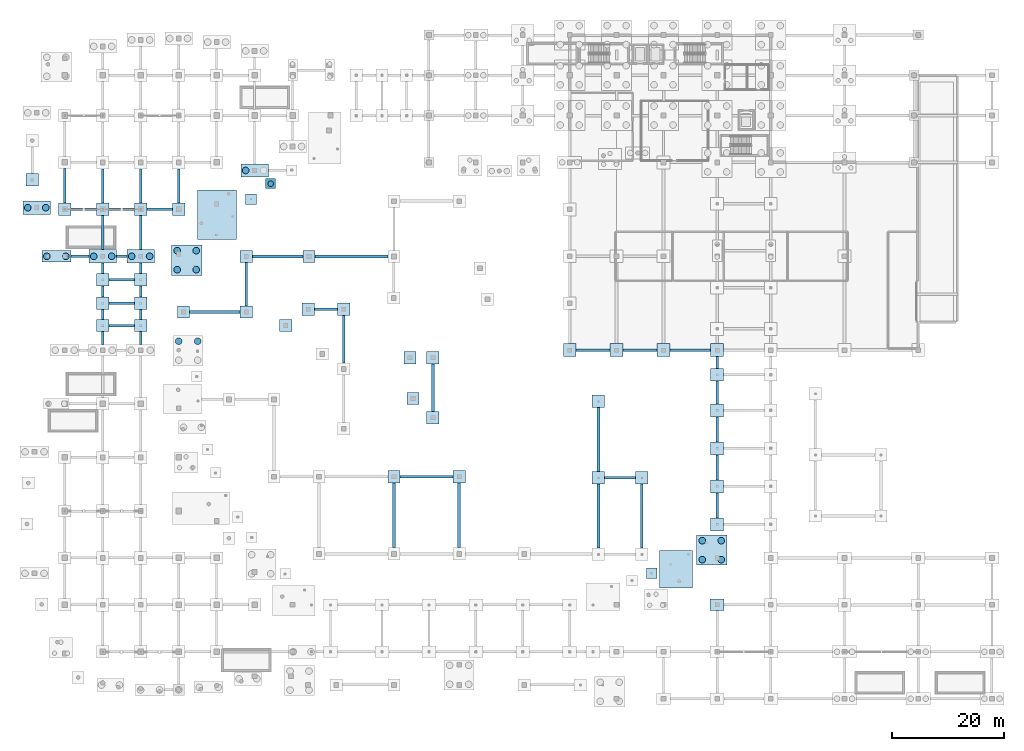
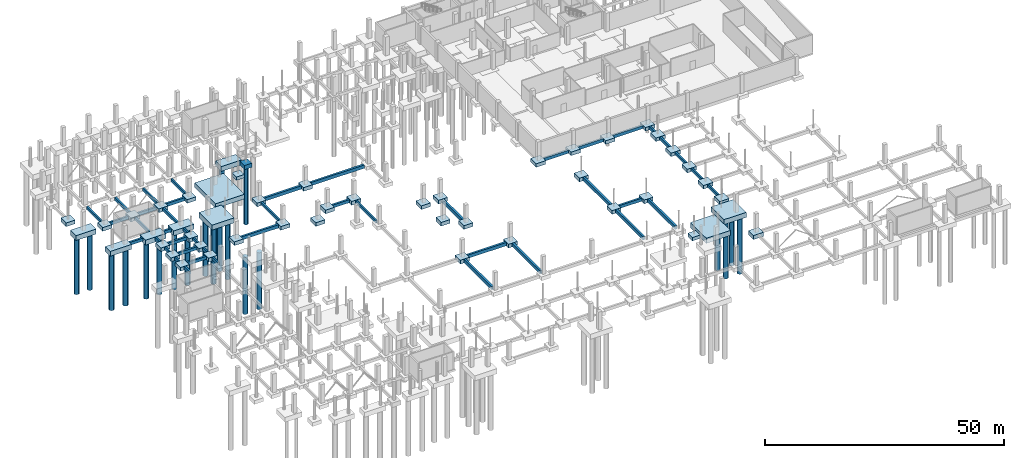
# One storey, part 3 of 44: 93 footings, 20 piles.
"""IFC4 building model written with IfcOpenShell, lengths in metres."""

from ifc_helpers import new_model, si_unit, direction, frame, origin, origin_2d, place, context, subcontext, project, spatial, rectangle, circle, extrude, material, material_profile, profile_set, type_object, element, save


model = new_model("IFC4")

# Units and contexts
model_context = context("Model", 3, precision=1e-05, world=origin(), true_north=direction((0.0, 1.0)))
body_context = subcontext(model_context, "Body", "Model", "MODEL_VIEW")
ifc_project = project(units=[si_unit("LENGTHUNIT", "METRE"), si_unit("AREAUNIT", "SQUARE_METRE"), si_unit("VOLUMEUNIT", "CUBIC_METRE"), si_unit("PLANEANGLEUNIT", "RADIAN"), si_unit("MASSUNIT", "GRAM", prefix="KILO")], contexts=[model_context])

# Site, building, storey
site_placement = place(None, origin())
site = spatial("IfcSite", under=ifc_project, at=site_placement, CompositionType="ELEMENT")
building_placement = place(site_placement, origin())
building = spatial("IfcBuilding", under=site, at=building_placement, Name="Kisaragi Civic Commons", CompositionType="ELEMENT")
storey_placement = place(building_placement, frame((0.0, 0.0, -4.800048828125)))
storey = spatial("IfcBuildingStorey", under=building, at=storey_placement, Name="B1", CompositionType="ELEMENT", Elevation=-4.800048828125)

# Footings
ifc_material_1 = material(Name="Concrete Fc27", Category="concrete")
ifc_material_profile_1 = material_profile(ifc_material_1, rectangle(XDim=0.5, YDim=0.85009765625, at=origin_2d()), Name="RC-500x850", Category="concrete")
ifc_profile_set_1 = profile_set([ifc_material_profile_1], Name="Concrete Fc27")
footing_type_1 = type_object("IfcFootingType", Name="FB-01", PredefinedType="FOOTING_BEAM", material=ifc_profile_set_1)
footing_1_placement = place(storey_placement, frame((66.83642578125, 39.75, -0.425048828125), z_axis=(1.0, 0.0, 0.0), x_axis=(0.0, 1.0, 0.0)))
element("IfcFooting", 1, at=footing_1_placement, inside=storey, type_object=footing_type_1, Name="Foundation tie beam FB-01 X61", PredefinedType="FOOTING_BEAM", context=body_context, shape_type="SweptSolid", body=[
    extrude(rectangle(XDim=0.5, YDim=0.85009765625, at=origin_2d()), origin(), (0.0, 0.0, 1.0), 9.4736328125),
])
for number, where, z_axis, x_axis, name in (
    (2, (29.16796875, 69.246337890625, -0.425048828125), (1.0, 0.0, 0.0), (0.0, 1.0, 0.0), "Foundation tie beam FB-01 X82"),
    (3, (40.39990234375, 79.159912109375, -0.425048828125), (1.0, 0.0, 0.0), (0.0, 1.0, 0.0), "Foundation tie beam FB-01 X89"),
):
    element("IfcFooting", number, at=place(storey_placement, frame(where, z_axis=z_axis, x_axis=x_axis)), inside=storey, type_object=footing_type_1, Name=name, PredefinedType="FOOTING_BEAM", context=body_context, shape_type="SweptSolid", body=[
        extrude(rectangle(XDim=0.5, YDim=0.85009765625, at=origin_2d()), origin(), (0.0, 0.0, 1.0), 9.031982421875),
    ])
footing_2_placement = place(storey_placement, frame((51.632080078125, 79.159912109375, -0.425048828125), z_axis=(1.0, 0.0, 0.0), x_axis=(0.0, 1.0, 0.0)))
element("IfcFooting", 4, at=footing_2_placement, inside=storey, type_object=footing_type_1, Name="Foundation tie beam FB-01 X90", PredefinedType="FOOTING_BEAM", context=body_context, shape_type="SweptSolid", body=[
    extrude(rectangle(XDim=0.5, YDim=0.85009765625, at=origin_2d()), origin(), (0.0, 0.0, 1.0), 13.00439453125),
])
footing_3_placement = place(storey_placement, frame((65.736328125, 27.02587890625, -0.425048828125), z_axis=(0.0, 1.0, 0.0), x_axis=(-1.0, 0.0, 0.0)))
element("IfcFooting", 5, at=footing_3_placement, inside=storey, type_object=footing_type_1, Name="Foundation tie beam FB-01 Y217", PredefinedType="FOOTING_BEAM", context=body_context, shape_type="SweptSolid", body=[
    extrude(rectangle(XDim=0.5, YDim=0.85009765625, at=origin_2d()), origin(), (0.0, 0.0, 1.0), 11.6240234375),
])
footing_4_placement = place(storey_placement, frame((72.713623046875, 51.412353515625, -0.425048828125), z_axis=(0.0, 1.0, 0.0), x_axis=(-1.0, 0.0, 0.0)))
element("IfcFooting", 6, at=footing_4_placement, inside=storey, type_object=footing_type_1, Name="Foundation tie beam FB-01 Y225", PredefinedType="FOOTING_BEAM", context=body_context, shape_type="SweptSolid", body=[
    extrude(rectangle(XDim=0.5, YDim=0.85009765625, at=origin_2d()), origin(), (0.0, 0.0, 1.0), 8.517578125),
])
footing_5_placement = place(storey_placement, frame((77.409912109375, 27.02587890625, -0.425048828125), z_axis=(0.0, 1.0, 0.0), x_axis=(-1.0, 0.0, 0.0)))
element("IfcFooting", 7, at=footing_5_placement, inside=storey, type_object=footing_type_1, Name="Foundation tie beam FB-01 Y226", PredefinedType="FOOTING_BEAM", context=body_context, shape_type="SweptSolid", body=[
    extrude(rectangle(XDim=0.5, YDim=0.85009765625, at=origin_2d()), origin(), (0.0, 0.0, 1.0), 11.6240234375),
])
footing_6_placement = place(storey_placement, frame((102.34033203125, 26.9541015625, -0.425048828125), z_axis=(0.0, 1.0, 0.0), x_axis=(-1.0, 0.0, 0.0)))
element("IfcFooting", 8, at=footing_6_placement, inside=storey, type_object=footing_type_1, Name="Foundation tie beam FB-01 Y241", PredefinedType="FOOTING_BEAM", context=body_context, shape_type="SweptSolid", body=[
    extrude(rectangle(XDim=0.5, YDim=0.85009765625, at=origin_2d()), origin(), (0.0, 0.0, 1.0), 11.495849609375),
])
footing_7_placement = place(storey_placement, frame((102.34033203125, 40.64990234375, -0.425048828125), z_axis=(0.0, 1.0, 0.0), x_axis=(-1.0, 0.0, 0.0)))
element("IfcFooting", 9, at=footing_7_placement, inside=storey, type_object=footing_type_1, Name="Foundation tie beam FB-01 Y242", PredefinedType="FOOTING_BEAM", context=body_context, shape_type="SweptSolid", body=[
    extrude(rectangle(XDim=0.5, YDim=0.85009765625, at=origin_2d()), origin(), (0.0, 0.0, 1.0), 11.49609375),
])
footing_8_placement = place(storey_placement, frame((110.110107421875, 26.9541015625, -0.425048828125), z_axis=(0.0, 1.0, 0.0), x_axis=(-1.0, 0.0, 0.0)))
element("IfcFooting", 10, at=footing_8_placement, inside=storey, type_object=footing_type_1, Name="Foundation tie beam FB-01 Y246", PredefinedType="FOOTING_BEAM", context=body_context, shape_type="SweptSolid", body=[
    extrude(rectangle(XDim=0.5, YDim=0.85009765625, at=origin_2d()), origin(), (0.0, 0.0, 1.0), 11.495849609375),
])
ifc_material_profile_2 = material_profile(ifc_material_1, rectangle(XDim=0.449951171875, YDim=0.800048828125, at=origin_2d()), Name="RC-450x800", Category="concrete")
ifc_profile_set_2 = profile_set([ifc_material_profile_2], Name="Concrete Fc27")
footing_type_2 = type_object("IfcFootingType", Name="FB-02", PredefinedType="FOOTING_BEAM", material=ifc_profile_set_2)
footing_9_placement = place(storey_placement, frame((103.4404296875, 39.550048828125, -0.39990234375), z_axis=(1.0, 0.0, 0.0), x_axis=(0.0, 1.0, 0.0)))
element("IfcFooting", 11, at=footing_9_placement, inside=storey, type_object=footing_type_2, Name="Foundation tie beam FB-02 X58", PredefinedType="FOOTING_BEAM", context=body_context, shape_type="SweptSolid", body=[
    extrude(rectangle(XDim=0.449951171875, YDim=0.800048828125, at=origin_2d()), origin(), (0.0, 0.0, 1.0), 5.569580078125),
])
footing_10_placement = place(storey_placement, frame((98.35009765625, 62.39990234375, -0.39990234375), z_axis=(1.0, 0.0, 0.0), x_axis=(0.0, 1.0, 0.0)))
element("IfcFooting", 12, at=footing_10_placement, inside=storey, type_object=footing_type_2, Name="Foundation tie beam FB-02 X74", PredefinedType="FOOTING_BEAM", context=body_context, shape_type="SweptSolid", body=[
    extrude(rectangle(XDim=0.449951171875, YDim=0.800048828125, at=origin_2d()), origin(), (0.0, 0.0, 1.0), 6.099853515625),
])
footing_11_placement = place(storey_placement, frame((106.75, 62.39990234375, -0.39990234375), z_axis=(1.0, 0.0, 0.0), x_axis=(0.0, 1.0, 0.0)))
element("IfcFooting", 13, at=footing_11_placement, inside=storey, type_object=footing_type_2, Name="Foundation tie beam FB-02 X75", PredefinedType="FOOTING_BEAM", context=body_context, shape_type="SweptSolid", body=[
    extrude(rectangle(XDim=0.449951171875, YDim=0.800048828125, at=origin_2d()), origin(), (0.0, 0.0, 1.0), 6.10009765625),
])
footing_12_placement = place(storey_placement, frame((115.14990234375, 62.39990234375, -0.39990234375), z_axis=(1.0, 0.0, 0.0), x_axis=(0.0, 1.0, 0.0)))
element("IfcFooting", 14, at=footing_12_placement, inside=storey, type_object=footing_type_2, Name="Foundation tie beam FB-02 X76", PredefinedType="FOOTING_BEAM", context=body_context, shape_type="SweptSolid", body=[
    extrude(rectangle(XDim=0.449951171875, YDim=0.800048828125, at=origin_2d()), origin(), (0.0, 0.0, 1.0), 7.300048828125),
])
footing_13_placement = place(storey_placement, frame((14.699951171875, 66.800048828125, -0.39990234375), z_axis=(1.0, 0.0, 0.0), x_axis=(0.0, 1.0, 0.0)))
element("IfcFooting", 15, at=footing_13_placement, inside=storey, type_object=footing_type_2, Name="Foundation tie beam FB-02 X81", PredefinedType="FOOTING_BEAM", context=body_context, shape_type="SweptSolid", body=[
    extrude(rectangle(XDim=0.449951171875, YDim=0.800048828125, at=origin_2d()), origin(), (0.0, 0.0, 1.0), 4.60009765625),
])
footing_14_placement = place(storey_placement, frame((51.5078125, 69.73779296875, -0.39990234375), z_axis=(1.0, 0.0, 0.0), x_axis=(0.0, 1.0, 0.0)))
element("IfcFooting", 16, at=footing_14_placement, inside=storey, type_object=footing_type_2, Name="Foundation tie beam FB-02 X83", PredefinedType="FOOTING_BEAM", context=body_context, shape_type="SweptSolid", body=[
    extrude(rectangle(XDim=0.449951171875, YDim=0.800048828125, at=origin_2d()), origin(), (0.0, 0.0, 1.0), 4.146240234375),
])
for number, where, z_axis, x_axis, name in (
    (17, (14.699951171875, 70.800048828125, -0.39990234375), (1.0, 0.0, 0.0), (0.0, 1.0, 0.0), "Foundation tie beam FB-02 X84"),
    (18, (14.699951171875, 75.0, -0.39990234375), (1.0, 0.0, 0.0), (0.0, 1.0, 0.0), "Foundation tie beam FB-02 X86"),
):
    element("IfcFooting", number, at=place(storey_placement, frame(where, z_axis=z_axis, x_axis=x_axis)), inside=storey, type_object=footing_type_2, Name=name, PredefinedType="FOOTING_BEAM", context=body_context, shape_type="SweptSolid", body=[
        extrude(rectangle(XDim=0.449951171875, YDim=0.800048828125, at=origin_2d()), origin(), (0.0, 0.0, 1.0), 4.60009765625),
    ])
footing_15_placement = place(storey_placement, frame((7.89990234375, 79.199951171875, -0.39990234375), z_axis=(1.0, 0.0, 0.0), x_axis=(0.0, 1.0, 0.0)))
element("IfcFooting", 19, at=footing_15_placement, inside=storey, type_object=footing_type_2, Name="Foundation tie beam FB-02 X87", PredefinedType="FOOTING_BEAM", context=body_context, shape_type="SweptSolid", body=[
    extrude(rectangle(XDim=0.449951171875, YDim=0.800048828125, at=origin_2d()), origin(), (0.0, 0.0, 1.0), 3.25),
])
footing_16_placement = place(storey_placement, frame((16.050048828125, 79.199951171875, -0.39990234375), z_axis=(1.0, 0.0, 0.0), x_axis=(0.0, 1.0, 0.0)))
element("IfcFooting", 20, at=footing_16_placement, inside=storey, type_object=footing_type_2, Name="Foundation tie beam FB-02 X88", PredefinedType="FOOTING_BEAM", context=body_context, shape_type="SweptSolid", body=[
    extrude(rectangle(XDim=0.449951171875, YDim=0.800048828125, at=origin_2d()), origin(), (0.0, 0.0, 1.0), 1.89990234375),
])
for number, where, z_axis, x_axis, name in (
    (21, (7.89990234375, 87.60009765625, -0.39990234375), (1.0, 0.0, 0.0), (0.0, 1.0, 0.0), "Foundation tie beam FB-02 X94"),
    (22, (14.699951171875, 87.60009765625, -0.39990234375), (1.0, 0.0, 0.0), (0.0, 1.0, 0.0), "Foundation tie beam FB-02 X95"),
    (23, (21.5, 87.60009765625, -0.39990234375), (1.0, 0.0, 0.0), (0.0, 1.0, 0.0), "Foundation tie beam FB-02 X96"),
):
    element("IfcFooting", number, at=place(storey_placement, frame(where, z_axis=z_axis, x_axis=x_axis)), inside=storey, type_object=footing_type_2, Name=name, PredefinedType="FOOTING_BEAM", context=body_context, shape_type="SweptSolid", body=[
        extrude(rectangle(XDim=0.449951171875, YDim=0.800048828125, at=origin_2d()), origin(), (0.0, 0.0, 1.0), 4.60009765625),
    ])
ifc_material_profile_3 = material_profile(ifc_material_1, rectangle(XDim=0.39990234375, YDim=0.75, at=origin_2d()), Name="RC-400x750", Category="concrete")
ifc_profile_set_3 = profile_set([ifc_material_profile_3], Name="Concrete Fc27")
footing_type_3 = type_object("IfcFootingType", Name="FB-03", PredefinedType="FOOTING_BEAM", material=ifc_profile_set_3)
footing_17_placement = place(storey_placement, frame((6.800048828125, 88.699951171875, -0.375), z_axis=(0.0, 1.0, 0.0), x_axis=(-1.0, 0.0, 0.0)))
element("IfcFooting", 24, at=footing_17_placement, inside=storey, type_object=footing_type_3, Name="Foundation tie beam FB-03 Y159", PredefinedType="FOOTING_BEAM", context=body_context, shape_type="SweptSolid", body=[
    extrude(rectangle(XDim=0.39990234375, YDim=0.75, at=origin_2d()), origin(), (0.0, 0.0, 1.0), 6.199951171875),
])
footing_18_placement = place(storey_placement, frame((13.60009765625, 63.449951171875, -0.375), z_axis=(0.0, 1.0, 0.0), x_axis=(-1.0, 0.0, 0.0)))
element("IfcFooting", 25, at=footing_18_placement, inside=storey, type_object=footing_type_3, Name="Foundation tie beam FB-03 Y167", PredefinedType="FOOTING_BEAM", context=body_context, shape_type="SweptSolid", body=[
    extrude(rectangle(XDim=0.39990234375, YDim=0.75, at=origin_2d()), origin(), (0.0, 0.0, 1.0), 2.25),
])
footing_19_placement = place(storey_placement, frame((13.60009765625, 67.89990234375, -0.375), z_axis=(0.0, 1.0, 0.0), x_axis=(-1.0, 0.0, 0.0)))
element("IfcFooting", 26, at=footing_19_placement, inside=storey, type_object=footing_type_3, Name="Foundation tie beam FB-03 Y168", PredefinedType="FOOTING_BEAM", context=body_context, shape_type="SweptSolid", body=[
    extrude(rectangle(XDim=0.39990234375, YDim=0.75, at=origin_2d()), origin(), (0.0, 0.0, 1.0), 1.800048828125),
])
footing_20_placement = place(storey_placement, frame((13.60009765625, 71.89990234375, -0.375), z_axis=(0.0, 1.0, 0.0), x_axis=(-1.0, 0.0, 0.0)))
element("IfcFooting", 27, at=footing_20_placement, inside=storey, type_object=footing_type_3, Name="Foundation tie beam FB-03 Y169", PredefinedType="FOOTING_BEAM", context=body_context, shape_type="SweptSolid", body=[
    extrude(rectangle(XDim=0.39990234375, YDim=0.75, at=origin_2d()), origin(), (0.0, 0.0, 1.0), 2.0),
])
footing_21_placement = place(storey_placement, frame((13.60009765625, 76.10009765625, -0.375), z_axis=(0.0, 1.0, 0.0), x_axis=(-1.0, 0.0, 0.0)))
element("IfcFooting", 28, at=footing_21_placement, inside=storey, type_object=footing_type_3, Name="Foundation tie beam FB-03 Y170", PredefinedType="FOOTING_BEAM", context=body_context, shape_type="SweptSolid", body=[
    extrude(rectangle(XDim=0.39990234375, YDim=0.75, at=origin_2d()), origin(), (0.0, 0.0, 1.0), 1.89990234375),
])
footing_22_placement = place(storey_placement, frame((13.60009765625, 80.39990234375, -0.375), z_axis=(0.0, 1.0, 0.0), x_axis=(-1.0, 0.0, 0.0)))
element("IfcFooting", 29, at=footing_22_placement, inside=storey, type_object=footing_type_3, Name="Foundation tie beam FB-03 Y171", PredefinedType="FOOTING_BEAM", context=body_context, shape_type="SweptSolid", body=[
    extrude(rectangle(XDim=0.39990234375, YDim=0.75, at=origin_2d()), origin(), (0.0, 0.0, 1.0), 6.10009765625),
])
footing_23_placement = place(storey_placement, frame((13.60009765625, 88.699951171875, -0.375), z_axis=(0.0, 1.0, 0.0), x_axis=(-1.0, 0.0, 0.0)))
element("IfcFooting", 30, at=footing_23_placement, inside=storey, type_object=footing_type_3, Name="Foundation tie beam FB-03 Y172", PredefinedType="FOOTING_BEAM", context=body_context, shape_type="SweptSolid", body=[
    extrude(rectangle(XDim=0.39990234375, YDim=0.75, at=origin_2d()), origin(), (0.0, 0.0, 1.0), 6.150146484375),
])
footing_24_placement = place(storey_placement, frame((20.39990234375, 63.449951171875, -0.375), z_axis=(0.0, 1.0, 0.0), x_axis=(-1.0, 0.0, 0.0)))
element("IfcFooting", 31, at=footing_24_placement, inside=storey, type_object=footing_type_3, Name="Foundation tie beam FB-03 Y182", PredefinedType="FOOTING_BEAM", context=body_context, shape_type="SweptSolid", body=[
    extrude(rectangle(XDim=0.39990234375, YDim=0.75, at=origin_2d()), origin(), (0.0, 0.0, 1.0), 2.25),
])
footing_25_placement = place(storey_placement, frame((20.39990234375, 67.89990234375, -0.375), z_axis=(0.0, 1.0, 0.0), x_axis=(-1.0, 0.0, 0.0)))
element("IfcFooting", 32, at=footing_25_placement, inside=storey, type_object=footing_type_3, Name="Foundation tie beam FB-03 Y183", PredefinedType="FOOTING_BEAM", context=body_context, shape_type="SweptSolid", body=[
    extrude(rectangle(XDim=0.39990234375, YDim=0.75, at=origin_2d()), origin(), (0.0, 0.0, 1.0), 1.800048828125),
])
footing_26_placement = place(storey_placement, frame((20.39990234375, 71.89990234375, -0.375), z_axis=(0.0, 1.0, 0.0), x_axis=(-1.0, 0.0, 0.0)))
element("IfcFooting", 33, at=footing_26_placement, inside=storey, type_object=footing_type_3, Name="Foundation tie beam FB-03 Y184", PredefinedType="FOOTING_BEAM", context=body_context, shape_type="SweptSolid", body=[
    extrude(rectangle(XDim=0.39990234375, YDim=0.75, at=origin_2d()), origin(), (0.0, 0.0, 1.0), 2.0),
])
footing_27_placement = place(storey_placement, frame((20.39990234375, 76.10009765625, -0.375), z_axis=(0.0, 1.0, 0.0), x_axis=(-1.0, 0.0, 0.0)))
element("IfcFooting", 34, at=footing_27_placement, inside=storey, type_object=footing_type_3, Name="Foundation tie beam FB-03 Y185", PredefinedType="FOOTING_BEAM", context=body_context, shape_type="SweptSolid", body=[
    extrude(rectangle(XDim=0.39990234375, YDim=0.75, at=origin_2d()), origin(), (0.0, 0.0, 1.0), 1.89990234375),
])
footing_28_placement = place(storey_placement, frame((20.39990234375, 80.39990234375, -0.375), z_axis=(0.0, 1.0, 0.0), x_axis=(-1.0, 0.0, 0.0)))
element("IfcFooting", 35, at=footing_28_placement, inside=storey, type_object=footing_type_3, Name="Foundation tie beam FB-03 Y186", PredefinedType="FOOTING_BEAM", context=body_context, shape_type="SweptSolid", body=[
    extrude(rectangle(XDim=0.39990234375, YDim=0.75, at=origin_2d()), origin(), (0.0, 0.0, 1.0), 6.10009765625),
])
for number, where, z_axis, x_axis, name in (
    (36, (20.39990234375, 88.699951171875, -0.375), (0.0, 1.0, 0.0), (-1.0, 0.0, 0.0), "Foundation tie beam FB-03 Y187"),
    (37, (27.199951171875, 88.699951171875, -0.375), (0.0, 1.0, 0.0), (-1.0, 0.0, 0.0), "Foundation tie beam FB-03 Y194"),
):
    element("IfcFooting", number, at=place(storey_placement, frame(where, z_axis=z_axis, x_axis=x_axis)), inside=storey, type_object=footing_type_3, Name=name, PredefinedType="FOOTING_BEAM", context=body_context, shape_type="SweptSolid", body=[
        extrude(rectangle(XDim=0.39990234375, YDim=0.75, at=origin_2d()), origin(), (0.0, 0.0, 1.0), 6.150146484375),
    ])
footing_29_placement = place(storey_placement, frame((39.300048828125, 70.346435546875, -0.375), z_axis=(0.0, 1.0, 0.0), x_axis=(-1.0, 0.0, 0.0)))
element("IfcFooting", 38, at=footing_29_placement, inside=storey, type_object=footing_type_3, Name="Foundation tie beam FB-03 Y203", PredefinedType="FOOTING_BEAM", context=body_context, shape_type="SweptSolid", body=[
    extrude(rectangle(XDim=0.39990234375, YDim=0.75, at=origin_2d()), origin(), (0.0, 0.0, 1.0), 7.713623046875),
])
footing_30_placement = place(storey_placement, frame((56.754150390625, 60.14208984375, -0.375), z_axis=(0.0, 1.0, 0.0), x_axis=(-1.0, 0.0, 0.0)))
element("IfcFooting", 39, at=footing_30_placement, inside=storey, type_object=footing_type_3, Name="Foundation tie beam FB-03 Y213", PredefinedType="FOOTING_BEAM", context=body_context, shape_type="SweptSolid", body=[
    extrude(rectangle(XDim=0.39990234375, YDim=0.75, at=origin_2d()), origin(), (0.0, 0.0, 1.0), 8.495849609375),
])
for number, where, z_axis, x_axis, name in (
    (40, (123.60009765625, 32.35009765625, -0.375), (0.0, 1.0, 0.0), (-1.0, 0.0, 0.0), "Foundation tie beam FB-03 Y255"),
    (41, (123.60009765625, 39.14990234375, -0.375), (0.0, 1.0, 0.0), (-1.0, 0.0, 0.0), "Foundation tie beam FB-03 Y256"),
    (42, (123.60009765625, 45.949951171875, -0.375), (0.0, 1.0, 0.0), (-1.0, 0.0, 0.0), "Foundation tie beam FB-03 Y257"),
):
    element("IfcFooting", number, at=place(storey_placement, frame(where, z_axis=z_axis, x_axis=x_axis)), inside=storey, type_object=footing_type_3, Name=name, PredefinedType="FOOTING_BEAM", context=body_context, shape_type="SweptSolid", body=[
        extrude(rectangle(XDim=0.39990234375, YDim=0.75, at=origin_2d()), origin(), (0.0, 0.0, 1.0), 4.5),
    ])
footing_31_placement = place(storey_placement, frame((123.60009765625, 52.75, -0.375), z_axis=(0.0, 1.0, 0.0), x_axis=(-1.0, 0.0, 0.0)))
element("IfcFooting", 43, at=footing_31_placement, inside=storey, type_object=footing_type_3, Name="Foundation tie beam FB-03 Y258", PredefinedType="FOOTING_BEAM", context=body_context, shape_type="SweptSolid", body=[
    extrude(rectangle(XDim=0.39990234375, YDim=0.75, at=origin_2d()), origin(), (0.0, 0.0, 1.0), 4.10009765625),
])
footing_32_placement = place(storey_placement, frame((123.60009765625, 59.14990234375, -0.375), z_axis=(0.0, 1.0, 0.0), x_axis=(-1.0, 0.0, 0.0)))
element("IfcFooting", 44, at=footing_32_placement, inside=storey, type_object=footing_type_3, Name="Foundation tie beam FB-03 Y259", PredefinedType="FOOTING_BEAM", context=body_context, shape_type="SweptSolid", body=[
    extrude(rectangle(XDim=0.39990234375, YDim=0.75, at=origin_2d()), origin(), (0.0, 0.0, 1.0), 2.10009765625),
])

# Piles
ifc_material_profile_4 = material_profile(ifc_material_1, circle(Radius=0.5, at=origin_2d()), Name="PILE-D1000", Category="concrete")
ifc_profile_set_4 = profile_set([ifc_material_profile_4], Name="Concrete Fc27")
pile_type_1 = type_object("IfcPileType", Name="P-10", PredefinedType="BORED", material=ifc_profile_set_4)
pile_placement = place(storey_placement, frame((43.67138671875, 92.194091796875, -1.099853515625), z_axis=(0.0, 0.0, -1.0), x_axis=(1.0, 0.0, 0.0)))
element("IfcPile", 45, at=pile_placement, inside=storey, type_object=pile_type_1, Name="Bored pile P-10 99.1", PredefinedType="BORED", context=body_context, shape_type="SweptSolid", body=[
    extrude(circle(Radius=0.5, at=origin_2d()), origin(), (0.0, 0.0, 1.0), 14.60009765625),
])
ifc_material_profile_5 = material_profile(ifc_material_1, circle(Radius=0.60009765625, at=origin_2d()), Name="PILE-D1200", Category="concrete")
ifc_profile_set_5 = profile_set([ifc_material_profile_5], Name="Concrete Fc27")
pile_type_2 = type_object("IfcPileType", Name="P-12", PredefinedType="BORED", material=ifc_profile_set_5)
for number, where, z_axis, x_axis, name in (
    (46, (0.199951171875, 87.916259765625, -1.099853515625), (0.0, 0.0, -1.0), (1.0, 0.0, 0.0), "Bored pile P-12 7.1"),
    (47, (3.39990234375, 87.916259765625, -1.099853515625), (0.0, 0.0, -1.0), (1.0, 0.0, 0.0), "Bored pile P-12 7.2"),
    (48, (3.60009765625, 79.199951171875, -1.099853515625), (0.0, 0.0, -1.0), (1.0, 0.0, 0.0), "Bored pile P-12 11.1"),
    (49, (7.0, 79.199951171875, -1.099853515625), (0.0, 0.0, -1.0), (1.0, 0.0, 0.0), "Bored pile P-12 11.2"),
    (50, (12.0, 79.199951171875, -1.099853515625), (0.0, 0.0, -1.0), (1.0, 0.0, 0.0), "Bored pile P-12 34.1"),
    (51, (15.199951171875, 79.199951171875, -1.099853515625), (0.0, 0.0, -1.0), (1.0, 0.0, 0.0), "Bored pile P-12 34.2"),
    (52, (18.800048828125, 79.199951171875, -1.099853515625), (0.0, 0.0, -1.0), (1.0, 0.0, 0.0), "Bored pile P-12 51.1"),
    (53, (22.0, 79.199951171875, -1.099853515625), (0.0, 0.0, -1.0), (1.0, 0.0, 0.0), "Bored pile P-12 51.2"),
    (54, (27.197265625, 64.002197265625, -1.099853515625), (0.0, 0.0, -1.0), (1.0, 0.0, 0.0), "Bored pile P-12 64.3"),
    (55, (30.59716796875, 64.002197265625, -1.099853515625), (0.0, 0.0, -1.0), (1.0, 0.0, 0.0), "Bored pile P-12 64.4"),
    (56, (26.94091796875, 76.805419921875, -1.099853515625), (0.0, 0.0, -1.0), (1.0, 0.0, 0.0), "Bored pile P-12 65.1"),
    (57, (30.341064453125, 76.805419921875, -1.099853515625), (0.0, 0.0, -1.0), (1.0, 0.0, 0.0), "Bored pile P-12 65.2"),
    (58, (26.94091796875, 80.205322265625, -1.099853515625), (0.0, 0.0, -1.0), (1.0, 0.0, 0.0), "Bored pile P-12 65.3"),
    (59, (30.341064453125, 80.205322265625, -1.099853515625), (0.0, 0.0, -1.0), (1.0, 0.0, 0.0), "Bored pile P-12 65.4"),
    (60, (39.199951171875, 94.565185546875, -1.099853515625), (0.0, 0.0, -1.0), (1.0, 0.0, 0.0), "Bored pile P-12 95.1"),
    (61, (120.9267578125, 24.893798828125, -1.099853515625), (0.0, 0.0, -1.0), (1.0, 0.0, 0.0), "Bored pile P-12 208.1"),
    (62, (124.32666015625, 24.893798828125, -1.099853515625), (0.0, 0.0, -1.0), (1.0, 0.0, 0.0), "Bored pile P-12 208.2"),
    (63, (120.9267578125, 28.293701171875, -1.099853515625), (0.0, 0.0, -1.0), (1.0, 0.0, 0.0), "Bored pile P-12 208.3"),
    (64, (124.32666015625, 28.293701171875, -1.099853515625), (0.0, 0.0, -1.0), (1.0, 0.0, 0.0), "Bored pile P-12 208.4"),
):
    element("IfcPile", number, at=place(storey_placement, frame(where, z_axis=z_axis, x_axis=x_axis)), inside=storey, type_object=pile_type_2, Name=name, PredefinedType="BORED", context=body_context, shape_type="SweptSolid", body=[
        extrude(circle(Radius=0.60009765625, at=origin_2d()), origin(), (0.0, 0.0, 1.0), 14.60009765625),
    ])

# Footings
ifc_material_2 = material(Name="Concrete Fc36", Category="concrete")
footing_type_4 = type_object("IfcFootingType", Name="PC-1A", PredefinedType="PILE_CAP", material=ifc_material_2)
footing_33_placement = place(storey_placement, frame((43.67138671875, 92.194091796875, -1.10009765625), z_axis=(0.0, 0.0, 1.0), x_axis=(1.0, 0.0, 0.0)))
element("IfcFooting", 65, at=footing_33_placement, inside=storey, type_object=footing_type_4, Name="Pile cap PC-1A 99", PredefinedType="PILE_CAP", context=body_context, shape_type="SweptSolid", body=[
    extrude(rectangle(XDim=1.800048828125, YDim=1.800048828125, at=origin_2d()), origin(), (0.0, 0.0, 1.0), 1.10009765625),
])
footing_type_5 = type_object("IfcFootingType", Name="PC-2D", PredefinedType="PILE_CAP", material=ifc_material_2)
footing_34_placement = place(storey_placement, frame((5.300048828125, 79.199951171875, -1.25), z_axis=(0.0, 0.0, 1.0), x_axis=(1.0, 0.0, 0.0)))
element("IfcFooting", 66, at=footing_34_placement, inside=storey, type_object=footing_type_5, Name="Pile cap PC-2D 11", PredefinedType="PILE_CAP", context=body_context, shape_type="SweptSolid", body=[
    extrude(rectangle(XDim=5.199951171875, YDim=2.10009765625, at=origin_2d()), origin(), (0.0, 0.0, 1.0), 1.25),
])
footing_type_6 = type_object("IfcFootingType", Name="PC-4B", PredefinedType="PILE_CAP", material=ifc_material_2)
for number, where, z_axis, x_axis, name in (
    (67, (1.800048828125, 87.916259765625, -1.25), (0.0, 0.0, 1.0), (1.0, 0.0, 0.0), "Pile cap PC-4B 7"),
    (68, (13.60009765625, 79.199951171875, -1.25), (0.0, 0.0, 1.0), (1.0, 0.0, 0.0), "Pile cap PC-4B 34"),
    (69, (20.39990234375, 79.199951171875, -1.25), (0.0, 0.0, 1.0), (1.0, 0.0, 0.0), "Pile cap PC-4B 51"),
    (70, (40.800048828125, 94.565185546875, -1.25), (0.0, 0.0, 1.0), (1.0, 0.0, 0.0), "Pile cap PC-4B 95"),
):
    element("IfcFooting", number, at=place(storey_placement, frame(where, z_axis=z_axis, x_axis=x_axis)), inside=storey, type_object=footing_type_6, Name=name, PredefinedType="PILE_CAP", context=body_context, shape_type="SweptSolid", body=[
        extrude(rectangle(XDim=4.89990234375, YDim=2.39990234375, at=origin_2d()), origin(), (0.0, 0.0, 1.0), 1.25),
    ])
footing_type_7 = type_object("IfcFootingType", Name="PC-4C", PredefinedType="PILE_CAP", material=ifc_material_2)
for number, where, z_axis, x_axis, name in (
    (71, (28.64111328125, 78.50537109375, -1.2998046875), (0.0, 0.0, 1.0), (1.0, 0.0, 0.0), "Pile cap PC-4C 65"),
    (72, (122.626708984375, 26.59375, -1.2998046875), (0.0, 0.0, 1.0), (1.0, 0.0, 0.0), "Pile cap PC-4C 208"),
):
    element("IfcFooting", number, at=place(storey_placement, frame(where, z_axis=z_axis, x_axis=x_axis)), inside=storey, type_object=footing_type_7, Name=name, PredefinedType="PILE_CAP", context=body_context, shape_type="SweptSolid", body=[
        extrude(rectangle(XDim=5.39990234375, YDim=5.39990234375, at=origin_2d()), origin(), (0.0, 0.0, 1.0), 1.300048828125),
    ])
footing_type_8 = type_object("IfcFootingType", Name="PF-01", PredefinedType="PAD_FOOTING", material=ifc_material_2)
for number, where, z_axis, x_axis, name in (
    (73, (40.14990234375, 89.427734375, -0.85009765625), (0.0, 0.0, 1.0), (1.0, 0.0, 0.0), "Pad footing PF-01 91"),
    (74, (111.859619140625, 22.456298828125, -0.85009765625), (0.0, 0.0, 1.0), (1.0, 0.0, 0.0), "Pad footing PF-01 198"),
):
    element("IfcFooting", number, at=place(storey_placement, frame(where, z_axis=z_axis, x_axis=x_axis)), inside=storey, type_object=footing_type_8, Name=name, PredefinedType="PAD_FOOTING", context=body_context, shape_type="SweptSolid", body=[
        extrude(rectangle(XDim=1.89990234375, YDim=1.89990234375, at=origin_2d()), origin(), (0.0, 0.0, 1.0), 0.85009765625),
    ])
footing_type_9 = type_object("IfcFootingType", Name="PF-02", PredefinedType="PAD_FOOTING", material=ifc_material_2)
for number, where, z_axis, x_axis, name in (
    (75, (0.9912109375, 92.896484375, -0.94970703125), (0.0, 0.0, 1.0), (1.0, 0.0, 0.0), "Pad footing PF-02 3"),
    (76, (6.800048828125, 87.60009765625, -0.94970703125), (0.0, 0.0, 1.0), (1.0, 0.0, 0.0), "Pad footing PF-02 19"),
    (77, (13.60009765625, 66.800048828125, -0.94970703125), (0.0, 0.0, 1.0), (1.0, 0.0, 0.0), "Pad footing PF-02 31"),
    (78, (13.60009765625, 70.800048828125, -0.94970703125), (0.0, 0.0, 1.0), (1.0, 0.0, 0.0), "Pad footing PF-02 32"),
    (79, (13.60009765625, 75.0, -0.94970703125), (0.0, 0.0, 1.0), (1.0, 0.0, 0.0), "Pad footing PF-02 33"),
    (80, (13.60009765625, 87.60009765625, -0.94970703125), (0.0, 0.0, 1.0), (1.0, 0.0, 0.0), "Pad footing PF-02 35"),
    (81, (20.39990234375, 66.800048828125, -0.94970703125), (0.0, 0.0, 1.0), (1.0, 0.0, 0.0), "Pad footing PF-02 48"),
    (82, (20.39990234375, 70.800048828125, -0.94970703125), (0.0, 0.0, 1.0), (1.0, 0.0, 0.0), "Pad footing PF-02 49"),
    (83, (20.39990234375, 75.0, -0.94970703125), (0.0, 0.0, 1.0), (1.0, 0.0, 0.0), "Pad footing PF-02 50"),
    (84, (20.39990234375, 87.60009765625, -0.94970703125), (0.0, 0.0, 1.0), (1.0, 0.0, 0.0), "Pad footing PF-02 52"),
    (85, (27.199951171875, 87.60009765625, -0.94970703125), (0.0, 0.0, 1.0), (1.0, 0.0, 0.0), "Pad footing PF-02 66"),
    (86, (28.068115234375, 69.246337890625, -0.94970703125), (0.0, 0.0, 1.0), (1.0, 0.0, 0.0), "Pad footing PF-02 72"),
    (87, (39.300048828125, 69.246337890625, -0.94970703125), (0.0, 0.0, 1.0), (1.0, 0.0, 0.0), "Pad footing PF-02 89"),
    (88, (39.300048828125, 79.159912109375, -0.94970703125), (0.0, 0.0, 1.0), (1.0, 0.0, 0.0), "Pad footing PF-02 90"),
    (89, (46.360107421875, 66.798828125, -0.94970703125), (0.0, 0.0, 1.0), (1.0, 0.0, 0.0), "Pad footing PF-02 104"),
    (90, (50.40771484375, 69.73779296875, -0.94970703125), (0.0, 0.0, 1.0), (1.0, 0.0, 0.0), "Pad footing PF-02 111"),
    (91, (50.531982421875, 79.159912109375, -0.94970703125), (0.0, 0.0, 1.0), (1.0, 0.0, 0.0), "Pad footing PF-02 112"),
    (92, (56.754150390625, 69.73779296875, -0.94970703125), (0.0, 0.0, 1.0), (1.0, 0.0, 0.0), "Pad footing PF-02 123"),
    (93, (65.736328125, 39.75, -0.94970703125), (0.0, 0.0, 1.0), (1.0, 0.0, 0.0), "Pad footing PF-02 133"),
    (94, (68.6015625, 61.057861328125, -0.94970703125), (0.0, 0.0, 1.0), (1.0, 0.0, 0.0), "Pad footing PF-02 138"),
    (95, (69.171142578125, 53.75634765625, -0.94970703125), (0.0, 0.0, 1.0), (1.0, 0.0, 0.0), "Pad footing PF-02 139"),
    (96, (72.713623046875, 50.3125, -0.94970703125), (0.0, 0.0, 1.0), (1.0, 0.0, 0.0), "Pad footing PF-02 146"),
    (97, (72.713623046875, 61.030029296875, -0.94970703125), (0.0, 0.0, 1.0), (1.0, 0.0, 0.0), "Pad footing PF-02 147"),
    (98, (77.409912109375, 39.75, -0.94970703125), (0.0, 0.0, 1.0), (1.0, 0.0, 0.0), "Pad footing PF-02 150"),
    (99, (102.34033203125, 39.550048828125, -0.94970703125), (0.0, 0.0, 1.0), (1.0, 0.0, 0.0), "Pad footing PF-02 183"),
    (100, (102.34033203125, 53.24609375, -0.94970703125), (0.0, 0.0, 1.0), (1.0, 0.0, 0.0), "Pad footing PF-02 184"),
    (101, (110.110107421875, 39.550048828125, -0.94970703125), (0.0, 0.0, 1.0), (1.0, 0.0, 0.0), "Pad footing PF-02 196"),
):
    element("IfcFooting", number, at=place(storey_placement, frame(where, z_axis=z_axis, x_axis=x_axis)), inside=storey, type_object=footing_type_9, Name=name, PredefinedType="PAD_FOOTING", context=body_context, shape_type="SweptSolid", body=[
        extrude(rectangle(XDim=2.199951171875, YDim=2.199951171875, at=origin_2d()), origin(), (0.0, 0.0, 1.0), 0.949951171875),
    ])
footing_type_10 = type_object("IfcFootingType", Name="PF-03", PredefinedType="PAD_FOOTING", material=ifc_material_2)
footing_35_placement = place(storey_placement, frame((123.60009765625, 16.800048828125, -1.0), z_axis=(0.0, 0.0, 1.0), x_axis=(1.0, 0.0, 0.0)))
element("IfcFooting", 102, at=footing_35_placement, inside=storey, type_object=footing_type_10, Name="Pad footing PF-03 211", PredefinedType="PAD_FOOTING", context=body_context, shape_type="SweptSolid", body=[
    extrude(rectangle(XDim=2.5, YDim=2.10009765625, at=origin_2d()), origin(), (0.0, 0.0, 1.0), 1.0),
])
footing_type_11 = type_object("IfcFootingType", Name="PF-04", PredefinedType="PAD_FOOTING", material=ifc_material_2)
for number, where, z_axis, x_axis, name in (
    (103, (97.199951171875, 62.39990234375, -0.89990234375), (0.0, 0.0, 1.0), (1.0, 0.0, 0.0), "Pad footing PF-04 171"),
    (104, (105.60009765625, 62.39990234375, -0.89990234375), (0.0, 0.0, 1.0), (1.0, 0.0, 0.0), "Pad footing PF-04 188"),
    (105, (114.0, 62.39990234375, -0.89990234375), (0.0, 0.0, 1.0), (1.0, 0.0, 0.0), "Pad footing PF-04 201"),
    (106, (123.60009765625, 31.199951171875, -0.89990234375), (0.0, 0.0, 1.0), (1.0, 0.0, 0.0), "Pad footing PF-04 212"),
    (107, (123.60009765625, 38.0, -0.89990234375), (0.0, 0.0, 1.0), (1.0, 0.0, 0.0), "Pad footing PF-04 213"),
    (108, (123.60009765625, 44.800048828125, -0.89990234375), (0.0, 0.0, 1.0), (1.0, 0.0, 0.0), "Pad footing PF-04 214"),
    (109, (123.60009765625, 51.60009765625, -0.89990234375), (0.0, 0.0, 1.0), (1.0, 0.0, 0.0), "Pad footing PF-04 215"),
    (110, (123.60009765625, 58.0, -0.89990234375), (0.0, 0.0, 1.0), (1.0, 0.0, 0.0), "Pad footing PF-04 216"),
    (111, (123.60009765625, 62.39990234375, -0.89990234375), (0.0, 0.0, 1.0), (1.0, 0.0, 0.0), "Pad footing PF-04 217"),
):
    element("IfcFooting", number, at=place(storey_placement, frame(where, z_axis=z_axis, x_axis=x_axis)), inside=storey, type_object=footing_type_11, Name=name, PredefinedType="PAD_FOOTING", context=body_context, shape_type="SweptSolid", body=[
        extrude(rectangle(XDim=2.300048828125, YDim=2.300048828125, at=origin_2d()), origin(), (0.0, 0.0, 1.0), 0.89990234375),
    ])
footing_type_12 = type_object("IfcFootingType", Name="PF-M03", PredefinedType="PAD_FOOTING", material=ifc_material_2)
footing_36_placement = place(storey_placement, frame((34.056884765625, 86.6201171875, -1.19970703125), z_axis=(0.0, 0.0, 1.0), x_axis=(1.0, 0.0, 0.0)))
element("IfcFooting", 112, at=footing_36_placement, inside=storey, type_object=footing_type_12, Name="Pad footing PF-M03 75", PredefinedType="PAD_FOOTING", context=body_context, shape_type="SweptSolid", body=[
    extrude(rectangle(XDim=6.98291015625, YDim=8.84912109375, at=origin_2d()), origin(), (0.0, 0.0, 1.0), 1.199951171875),
])
footing_type_13 = type_object("IfcFootingType", Name="PF-M07", PredefinedType="PAD_FOOTING", material=ifc_material_2)
footing_37_placement = place(storey_placement, frame((116.234619140625, 23.172119140625, -1.2998046875), z_axis=(0.0, 0.0, 1.0), x_axis=(1.0, 0.0, 0.0)))
element("IfcFooting", 113, at=footing_37_placement, inside=storey, type_object=footing_type_13, Name="Pad footing PF-M07 207", PredefinedType="PAD_FOOTING", context=body_context, shape_type="SweptSolid", body=[
    extrude(rectangle(XDim=5.825927734375, YDim=6.696044921875, at=origin_2d()), origin(), (0.0, 0.0, 1.0), 1.300048828125),
])

save(model, "model.ifc")
